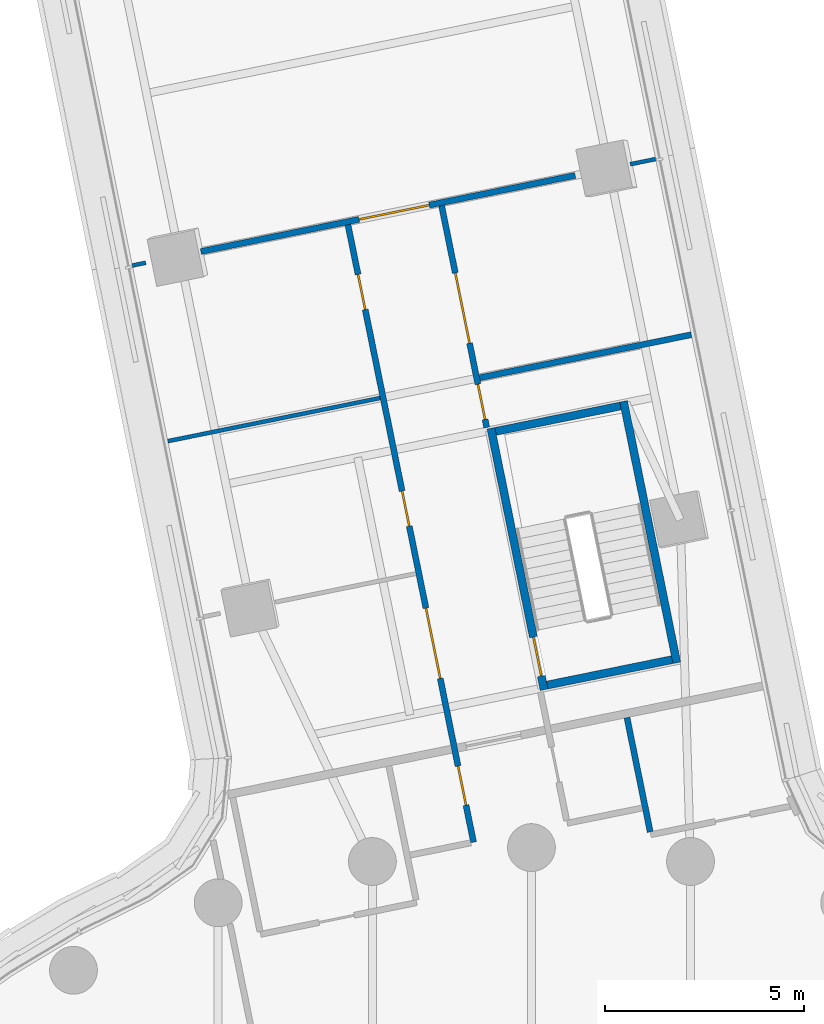
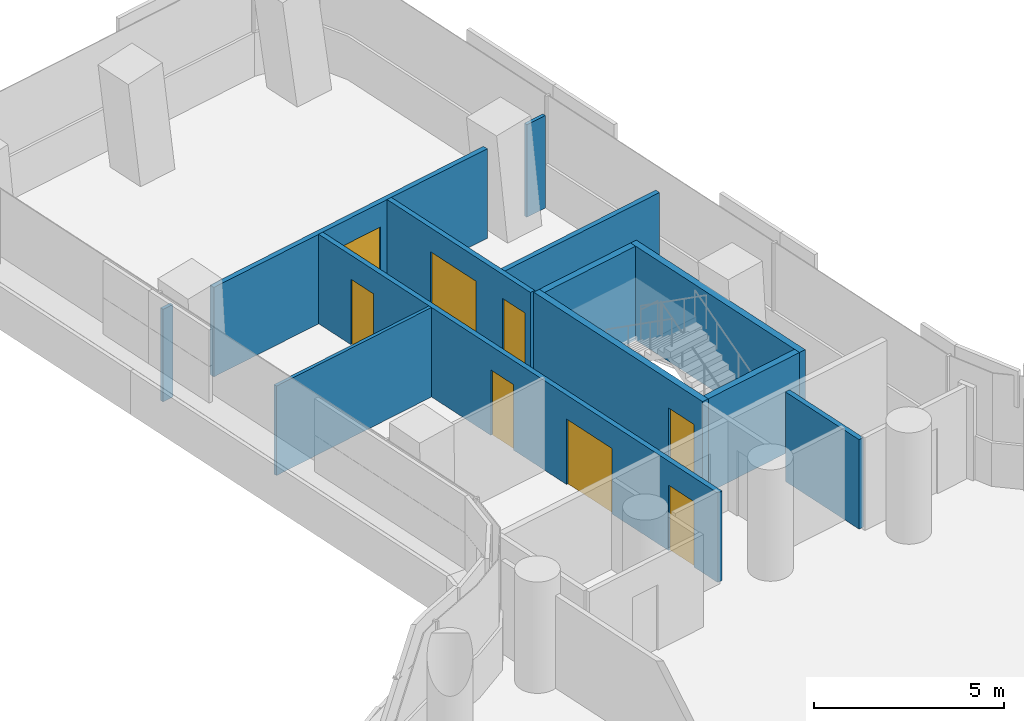
# One storey, part 22 of 31: 12 walls, 8 doors, 8 openings.
"""IFC4 building model written with IfcOpenShell, lengths in metres."""

from ifc_helpers import new_model, si_unit, direction, frame, frame_2d, origin, place, context, subcontext, project, spatial, polyline, rectangle, outline, extrude, material, layer, layer_set, type_object, element, fill, save


model = new_model("IFC4")

# Units and contexts
model_context = context("Model", 3, precision=1e-05, world=origin(), true_north=direction((0.0, 1.0)))
body_context = subcontext(model_context, "Body", "Model", "MODEL_VIEW")
ifc_project = project(units=[si_unit("LENGTHUNIT", "METRE"), si_unit("AREAUNIT", "SQUARE_METRE"), si_unit("VOLUMEUNIT", "CUBIC_METRE"), si_unit("PLANEANGLEUNIT", "RADIAN"), si_unit("MASSUNIT", "GRAM", prefix="KILO")], contexts=[model_context])

# Site, building, storey
site_placement = place(None, origin())
site = spatial("IfcSite", under=ifc_project, at=site_placement, CompositionType="ELEMENT")
building_placement = place(site_placement, origin())
building = spatial("IfcBuilding", under=site, at=building_placement, Name="Tamarind Cross Interchange Tower", CompositionType="ELEMENT")
storey_placement = place(building_placement, frame((0.0, 0.0, 75.25)))
storey = spatial("IfcBuildingStorey", under=building, at=storey_placement, Name="L17", CompositionType="ELEMENT", Elevation=75.25)

# Walls
ifc_material_1 = material(Name="Gypsum board partition on steel studs", Category="steel")
ifc_layer_1 = layer(ifc_material_1, 0.10009765625)
ifc_layer_set_1 = layer_set([ifc_layer_1], Name="Gypsum board partition on steel studs")
wall_type_1 = type_object("IfcWallType", Name="Partition 100 mm EI 90", PredefinedType="PARTITIONING", material=ifc_layer_set_1)
wall_1_placement = place(storey_placement, frame((-10.02099609375, 37.6162109375, 0.0), z_axis=(0.0, 0.0, 1.0), x_axis=(0.979943754842, 0.199274276677, 0.0)))
element("IfcWall", 1, at=wall_1_placement, inside=storey, type_object=wall_type_1, Name="Partition L17-040", PredefinedType="PARTITIONING", context=body_context, shape_type="SweptSolid", body=[
    extrude(rectangle(XDim=0.341796875, YDim=0.10009765625, at=frame_2d((0.1708984375, 0.0))), origin(), (0.0, 0.0, 1.0), 2.969970703125),
])
wall_2_placement = place(storey_placement, frame((2.48291015625, 40.1591796875, 0.0), z_axis=(0.0, 0.0, 1.0), x_axis=(0.979996509595, 0.199014675795, 0.0)))
element("IfcWall", 2, at=wall_2_placement, inside=storey, type_object=wall_type_1, Name="Partition L17-042", PredefinedType="PARTITIONING", context=body_context, shape_type="SweptSolid", body=[
    extrude(rectangle(XDim=0.647705078125, YDim=0.10009765625, at=frame_2d((0.32373046875, 0.0))), origin(), (0.0, 0.0, 1.0), 2.969970703125),
])
wall_3_placement = place(storey_placement, frame((-9.1298828125, 33.205078125, 0.0), z_axis=(0.0, 0.0, 1.0), x_axis=(0.979942010799, 0.199282852927, 0.0)))
element("IfcWall", 3, at=wall_3_placement, inside=storey, type_object=wall_type_1, Name="Partition L17-043", PredefinedType="PARTITIONING", context=body_context, shape_type="SweptSolid", body=[
    extrude(rectangle(XDim=5.439453125, YDim=0.10009765625, at=frame_2d((2.7197265625, 0.0))), origin(), (0.0, 0.0, 1.0), 2.8701171875),
])

# Wall, openings, doors
ifc_layer_2 = layer(ifc_material_1, 0.14990234375)
ifc_layer_set_2 = layer_set([ifc_layer_2], Name="Gypsum board partition on steel studs")
wall_type_2 = type_object("IfcWallType", Name="Partition 150 mm EI 120", PredefinedType="PARTITIONING", material=ifc_layer_set_2)
wall_4_placement = place(storey_placement, frame((-4.608154296875, 38.640380859375, 0.0), z_axis=(0.0, 0.0, 1.0), x_axis=(0.199328235369, -0.979932780646, 0.0)))
wall_4 = element("IfcWall", 4, at=wall_4_placement, inside=storey, type_object=wall_type_2, Name="Partition L17-010", PredefinedType="PARTITIONING", context=body_context, shape_type="SweptSolid", body=[
    extrude(rectangle(XDim=15.82470703125, YDim=0.14990234375, at=frame_2d((7.912353515625, 0.0))), origin(), (0.0, 0.0, 1.0), 2.8701171875),
])
opening_1_placement = place(wall_4_placement, frame((13.874755859375, 0.0, 0.0)))
opening_1 = element("IfcOpeningElement", 5, at=opening_1_placement, cuts=wall_4, Name="Opening D04", PredefinedType="OPENING", context=body_context, shape_type="SweptSolid", body=[
    extrude(rectangle(XDim=1.0, YDim=2.10009765625, at=frame_2d((0.5, 1.050048828125))), frame((0.0, 0.0849609375, 0.0), z_axis=(0.0, -1.0, 0.0), x_axis=(1.0, 0.0, 0.0)), (0.0, 0.0, 1.0), 0.169921875),
])
opening_2_placement = place(wall_4_placement, frame((6.8251953125, 0.0, 0.0)))
opening_2 = element("IfcOpeningElement", 6, at=opening_2_placement, cuts=wall_4, Name="Opening D05", PredefinedType="OPENING", context=body_context, shape_type="SweptSolid", body=[
    extrude(rectangle(XDim=0.89990234375, YDim=2.10009765625, at=frame_2d((0.449951171875, 1.050048828125))), frame((0.0, 0.0849609375, 0.0), z_axis=(0.0, -1.0, 0.0), x_axis=(1.0, 0.0, 0.0)), (0.0, 0.0, 1.0), 0.169921875),
])
opening_3_placement = place(wall_4_placement, frame((1.27490234375, 0.0, 0.0)))
opening_3 = element("IfcOpeningElement", 7, at=opening_3_placement, cuts=wall_4, Name="Opening D06", PredefinedType="OPENING", context=body_context, shape_type="SweptSolid", body=[
    extrude(rectangle(XDim=0.89990234375, YDim=2.10009765625, at=frame_2d((0.449951171875, 1.050048828125))), frame((0.0, 0.0849609375, 0.0), z_axis=(0.0, -1.0, 0.0), x_axis=(1.0, 0.0, 0.0)), (0.0, 0.0, 1.0), 0.169921875),
])
opening_4_placement = place(wall_4_placement, frame((9.825439453125, 0.0, 0.0)))
opening_4 = element("IfcOpeningElement", 8, at=opening_4_placement, cuts=wall_4, Name="Opening D07", PredefinedType="OPENING", context=body_context, shape_type="SweptSolid", body=[
    extrude(rectangle(XDim=1.800048828125, YDim=2.10009765625, at=frame_2d((0.89990234375, 1.050048828125))), frame((0.0, 0.0849609375, 0.0), z_axis=(0.0, -1.0, 0.0), x_axis=(1.0, 0.0, 0.0)), (0.0, 0.0, 1.0), 0.169921875),
])
ifc_material_2 = material(Name="Fire-resisting door set")
door_type_1 = type_object("IfcDoorType", Name="Interior door 1000 x 2100 FD60S", OperationType="SINGLE_SWING_LEFT", PredefinedType="DOOR", material=ifc_material_2)
door_1_placement = place(opening_1_placement, frame((1.0, 0.0, 0.0), z_axis=(0.0, 0.0, 1.0), x_axis=(-1.0, 0.0, 0.0)))
door_1 = element("IfcDoor", 9, at=door_1_placement, inside=storey, type_object=door_type_1, Name="Door D04", OperationType="SINGLE_SWING_RIGHT", OverallHeight=2.10009765625, OverallWidth=1.0, PredefinedType="DOOR", context=body_context, shape_type="SweptSolid", body=[
    extrude(rectangle(XDim=1.0, YDim=2.10009765625, at=frame_2d((0.5, 1.050048828125))), frame((0.0, 0.02490234375, 0.0), z_axis=(0.0, -1.0, 0.0), x_axis=(1.0, 0.0, 0.0)), (0.0, 0.0, 1.0), 0.050048828125),
])
fill(opening_1, door_1)
door_type_2 = type_object("IfcDoorType", Name="Interior door 1800 x 2100 FD60S", OperationType="DOUBLE_DOOR_SINGLE_SWING", PredefinedType="DOOR", material=ifc_material_2)
door_2_placement = place(opening_4_placement, frame((1.800048828125, 0.0, 0.0), z_axis=(0.0, 0.0, 1.0), x_axis=(-1.0, 0.0, 0.0)))
door_2 = element("IfcDoor", 10, at=door_2_placement, inside=storey, type_object=door_type_2, Name="Door D07", OperationType="DOUBLE_DOOR_SINGLE_SWING", OverallHeight=2.10009765625, OverallWidth=1.800048828125, PredefinedType="DOOR", context=body_context, shape_type="SweptSolid", body=[
    extrude(rectangle(XDim=1.800048828125, YDim=2.10009765625, at=frame_2d((0.89990234375, 1.050048828125))), frame((0.0, 0.02490234375, 0.0), z_axis=(0.0, -1.0, 0.0), x_axis=(1.0, 0.0, 0.0)), (0.0, 0.0, 1.0), 0.050048828125),
])
fill(opening_4, door_2)
door_type_3 = type_object("IfcDoorType", Name="Interior door 900 x 2100 FD60S", OperationType="SINGLE_SWING_LEFT", PredefinedType="DOOR", material=ifc_material_2)
door_3_placement = place(opening_2_placement, frame((0.89990234375, 0.0, 0.0), z_axis=(0.0, 0.0, 1.0), x_axis=(-1.0, 0.0, 0.0)))
door_3 = element("IfcDoor", 11, at=door_3_placement, inside=storey, type_object=door_type_3, Name="Door D05", OperationType="SINGLE_SWING_LEFT", OverallHeight=2.10009765625, OverallWidth=0.89990234375, PredefinedType="DOOR", context=body_context, shape_type="SweptSolid", body=[
    extrude(rectangle(XDim=0.89990234375, YDim=2.10009765625, at=frame_2d((0.449951171875, 1.050048828125))), frame((0.0, 0.02490234375, 0.0), z_axis=(0.0, -1.0, 0.0), x_axis=(1.0, 0.0, 0.0)), (0.0, 0.0, 1.0), 0.050048828125),
])
fill(opening_2, door_3)
door_4_placement = place(opening_3_placement, frame((0.89990234375, 0.0, 0.0), z_axis=(0.0, 0.0, 1.0), x_axis=(-1.0, 0.0, 0.0)))
door_4 = element("IfcDoor", 12, at=door_4_placement, inside=storey, type_object=door_type_3, Name="Door D06", OperationType="SINGLE_SWING_LEFT", OverallHeight=2.10009765625, OverallWidth=0.89990234375, PredefinedType="DOOR", context=body_context, shape_type="SweptSolid", body=[
    extrude(rectangle(XDim=0.89990234375, YDim=2.10009765625, at=frame_2d((0.449951171875, 1.050048828125))), frame((0.0, 0.02490234375, 0.0), z_axis=(0.0, -1.0, 0.0), x_axis=(1.0, 0.0, 0.0)), (0.0, 0.0, 1.0), 0.050048828125),
])
fill(opening_3, door_4)

wall_5_placement = place(storey_placement, frame((-2.256103515625, 39.118408203125, 0.0), z_axis=(0.0, 0.0, 1.0), x_axis=(0.199270008321, -0.979944622815, 0.0)))
wall_5 = element("IfcWall", 13, at=wall_5_placement, inside=storey, type_object=wall_type_2, Name="Partition L17-012", PredefinedType="PARTITIONING", context=body_context, shape_type="SweptSolid", body=[
    extrude(rectangle(XDim=5.684814453125, YDim=0.14990234375, at=frame_2d((2.84228515625, 0.0))), origin(), (0.0, 0.0, 1.0), 2.8701171875),
])
opening_5_placement = place(wall_5_placement, frame((1.72509765625, 0.0, 0.0)))
opening_5 = element("IfcOpeningElement", 14, at=opening_5_placement, cuts=wall_5, Name="Opening D08", PredefinedType="OPENING", context=body_context, shape_type="SweptSolid", body=[
    extrude(rectangle(XDim=1.800048828125, YDim=2.10009765625, at=frame_2d((0.89990234375, 1.050048828125))), frame((0.0, 0.0849609375, 0.0), z_axis=(0.0, -1.0, 0.0), x_axis=(1.0, 0.0, 0.0)), (0.0, 0.0, 1.0), 0.169921875),
])
opening_6_placement = place(wall_5_placement, frame((4.5751953125, 0.0, 0.0)))
opening_6 = element("IfcOpeningElement", 15, at=opening_6_placement, cuts=wall_5, Name="Opening D09", PredefinedType="OPENING", context=body_context, shape_type="SweptSolid", body=[
    extrude(rectangle(XDim=0.89990234375, YDim=2.10009765625, at=frame_2d((0.449951171875, 1.050048828125))), frame((0.0, 0.0849609375, 0.0), z_axis=(0.0, -1.0, 0.0), x_axis=(1.0, 0.0, 0.0)), (0.0, 0.0, 1.0), 0.169921875),
])
door_5_placement = place(opening_5_placement, origin())
door_5 = element("IfcDoor", 16, at=door_5_placement, inside=storey, type_object=door_type_2, Name="Door D08", OperationType="DOUBLE_DOOR_SINGLE_SWING", OverallHeight=2.10009765625, OverallWidth=1.800048828125, PredefinedType="DOOR", context=body_context, shape_type="SweptSolid", body=[
    extrude(rectangle(XDim=1.800048828125, YDim=2.10009765625, at=frame_2d((0.89990234375, 1.050048828125))), frame((0.0, 0.02490234375, 0.0), z_axis=(0.0, -1.0, 0.0), x_axis=(1.0, 0.0, 0.0)), (0.0, 0.0, 1.0), 0.050048828125),
])
fill(opening_5, door_5)
door_6_placement = place(opening_6_placement, origin())
door_6 = element("IfcDoor", 17, at=door_6_placement, inside=storey, type_object=door_type_3, Name="Door D09", OperationType="SINGLE_SWING_LEFT", OverallHeight=2.10009765625, OverallWidth=0.89990234375, PredefinedType="DOOR", context=body_context, shape_type="SweptSolid", body=[
    extrude(rectangle(XDim=0.89990234375, YDim=2.10009765625, at=frame_2d((0.449951171875, 1.050048828125))), frame((0.0, 0.02490234375, 0.0), z_axis=(0.0, -1.0, 0.0), x_axis=(1.0, 0.0, 0.0)), (0.0, 0.0, 1.0), 0.050048828125),
])
fill(opening_6, door_6)

# Wall
wall_6_placement = place(storey_placement, frame((2.39892578125, 26.262939453125, 0.0), z_axis=(0.0, 0.0, 1.0), x_axis=(0.199208761574, -0.97995707524, 0.0)))
element("IfcWall", 18, at=wall_6_placement, inside=storey, type_object=wall_type_2, Name="Partition L17-019", PredefinedType="PARTITIONING", context=body_context, shape_type="SweptSolid", body=[
    extrude(rectangle(XDim=2.928955078125, YDim=0.14990234375, at=frame_2d((1.46435546875, 0.0))), origin(), (0.0, 0.0, 1.0), 2.8701171875),
])

# Wall, opening, door
wall_7_placement = place(storey_placement, frame((-8.301513671875, 37.9658203125, 0.0), z_axis=(0.0, 0.0, 1.0), x_axis=(0.979936241005, 0.19931122288, 0.0)))
wall_7 = element("IfcWall", 19, at=wall_7_placement, inside=storey, type_object=wall_type_2, Name="Partition L17-041", PredefinedType="PARTITIONING", context=body_context, shape_type="SweptSolid", body=[
    extrude(rectangle(XDim=9.59228515625, YDim=0.14990234375, at=frame_2d((4.796142578125, 0.0))), origin(), (0.0, 0.0, 1.0), 2.8701171875),
])
opening_7_placement = place(wall_7_placement, frame((4.0537109375, 0.0, 0.0)))
opening_7 = element("IfcOpeningElement", 20, at=opening_7_placement, cuts=wall_7, Name="Opening D25", PredefinedType="OPENING", context=body_context, shape_type="SweptSolid", body=[
    extrude(rectangle(XDim=1.800048828125, YDim=2.10009765625, at=frame_2d((0.89990234375, 1.050048828125))), frame((0.0, 0.0849609375, 0.0), z_axis=(0.0, -1.0, 0.0), x_axis=(1.0, 0.0, 0.0)), (0.0, 0.0, 1.0), 0.169921875),
])
door_7_placement = place(opening_7_placement, origin())
door_7 = element("IfcDoor", 21, at=door_7_placement, inside=storey, type_object=door_type_2, Name="Door D25", OperationType="DOUBLE_DOOR_SINGLE_SWING", OverallHeight=2.10009765625, OverallWidth=1.800048828125, PredefinedType="DOOR", context=body_context, shape_type="SweptSolid", body=[
    extrude(rectangle(XDim=1.800048828125, YDim=2.10009765625, at=frame_2d((0.89990234375, 1.050048828125))), frame((0.0, 0.02490234375, 0.0), z_axis=(0.0, -1.0, 0.0), x_axis=(1.0, 0.0, 0.0)), (0.0, 0.0, 1.0), 0.050048828125),
])
fill(opening_7, door_7)

# Wall
wall_8_placement = place(storey_placement, frame((-1.300537109375, 34.797119140625, 0.0), z_axis=(0.0, 0.0, 1.0), x_axis=(0.979943665147, 0.199274717759, 0.0)))
element("IfcWall", 22, at=wall_8_placement, inside=storey, type_object=wall_type_2, Name="Partition L17-044", PredefinedType="PARTITIONING", context=body_context, shape_type="SweptSolid", body=[
    extrude(rectangle(XDim=5.423828125, YDim=0.14990234375, at=frame_2d((2.7119140625, 0.0))), origin(), (0.0, 0.0, 1.0), 2.8701171875),
])

# Wall, opening, door
ifc_material_3 = material(Name="Concrete C40", Category="concrete")
ifc_layer_3 = layer(ifc_material_3, 0.199951171875)
ifc_layer_set_3 = layer_set([ifc_layer_3], Name="Concrete C40")
wall_type_3 = type_object("IfcWallType", Name="Stair shaft wall 200 mm Concrete C40", PredefinedType="SHEAR", material=ifc_layer_set_3)
wall_9_placement = place(storey_placement, frame((0.317626953125, 26.962890625, -0.139892578125), z_axis=(0.0, 0.0, 1.0), x_axis=(-0.199254586655, 0.979947758657, 0.0)))
wall_9 = element("IfcWall", 23, at=wall_9_placement, inside=storey, type_object=wall_type_3, Name="Core wall CWL-L17-ST4-H", PredefinedType="SHEAR", context=body_context, shape_type="SweptSolid", body=[
    extrude(rectangle(XDim=6.69970703125, YDim=0.199951171875, at=frame_2d((3.349853515625, 0.0))), origin(), (0.0, 0.0, 1.0), 3.010009765625),
])
opening_8_placement = place(wall_9_placement, frame((0.35009765625, 0.0, 0.0)))
opening_8 = element("IfcOpeningElement", 24, at=opening_8_placement, cuts=wall_9, Name="Opening ST4L17", PredefinedType="OPENING", context=body_context, shape_type="SweptSolid", body=[
    extrude(rectangle(XDim=1.0, YDim=2.10009765625, at=frame_2d((0.5, 1.050048828125))), frame((0.0, 0.10986328125, 0.0), z_axis=(0.0, -1.0, 0.0), x_axis=(1.0, 0.0, 0.0)), (0.0, 0.0, 1.0), 0.219970703125),
])
ifc_material_4 = material(Name="Steel, fire-resisting", Category="steel")
door_type_4 = type_object("IfcDoorType", Name="Core fire door 1000 x 2100 FD90", OperationType="SINGLE_SWING_LEFT", PredefinedType="DOOR", material=ifc_material_4)
door_8_placement = place(opening_8_placement, origin())
door_8 = element("IfcDoor", 25, at=door_8_placement, inside=storey, type_object=door_type_4, Name="L17 stair door ST4", OperationType="SINGLE_SWING_LEFT", OverallHeight=2.10009765625, OverallWidth=1.0, PredefinedType="DOOR", context=body_context, shape_type="SweptSolid", body=[
    extrude(rectangle(XDim=1.0, YDim=2.10009765625, at=frame_2d((0.5, 1.050048828125))), frame((0.0, 0.02490234375, 0.0), z_axis=(0.0, -1.0, 0.0), x_axis=(1.0, 0.0, 0.0)), (0.0, 0.0, 1.0), 0.050048828125),
])
fill(opening_8, door_8)

# Walls
wall_10_placement = place(storey_placement, frame((3.6494140625, 27.64013671875, -0.139892578125), z_axis=(0.0, 0.0, 1.0), x_axis=(-0.199247471639, 0.979949205339, 0.0)))
element("IfcWall", 26, at=wall_10_placement, inside=storey, type_object=wall_type_3, Name="Core wall CWL-L17-ST4-C", PredefinedType="SHEAR", context=body_context, shape_type="SweptSolid", body=[
    extrude(rectangle(XDim=6.699951171875, YDim=0.199951171875, at=frame_2d((3.35009765625, 0.0))), origin(), (0.0, 0.0, 1.0), 3.010009765625),
])
wall_11_placement = place(storey_placement, frame((3.531494140625, 27.71826171875, -0.139892578125), z_axis=(0.0, 0.0, 1.0), x_axis=(-0.979959637806, -0.19919615526, 0.0)))
element("IfcWall", 27, at=wall_11_placement, inside=storey, type_object=wall_type_3, Name="Core wall CWL-L17-ST4-CE", PredefinedType="SHEAR", context=body_context, shape_type="SweptSolid", body=[
    extrude(rectangle(XDim=3.2001953125, YDim=0.199951171875, at=frame_2d((1.60009765625, 0.0))), origin(), (0.0, 0.0, 1.0), 3.010009765625),
])
wall_12_placement = place(storey_placement, frame((0.0, 0.0, -0.139892578125)))
element("IfcWall", 28, at=wall_12_placement, inside=storey, type_object=wall_type_3, Name="Core wall CWL-L17-ST4-CF", PredefinedType="SHEAR", context=body_context, shape_type="SweptSolid", body=[
    extrude(outline(polyline([(2.25634765625, 33.989990234375), (2.216552734375, 34.185791015625), (-0.91943359375, 33.54833984375), (-0.87939453125, 33.352294921875), (2.25634765625, 33.989990234375)])), origin(), (0.0, 0.0, 1.0), 3.010009765625),
])

save(model, "model.ifc")
